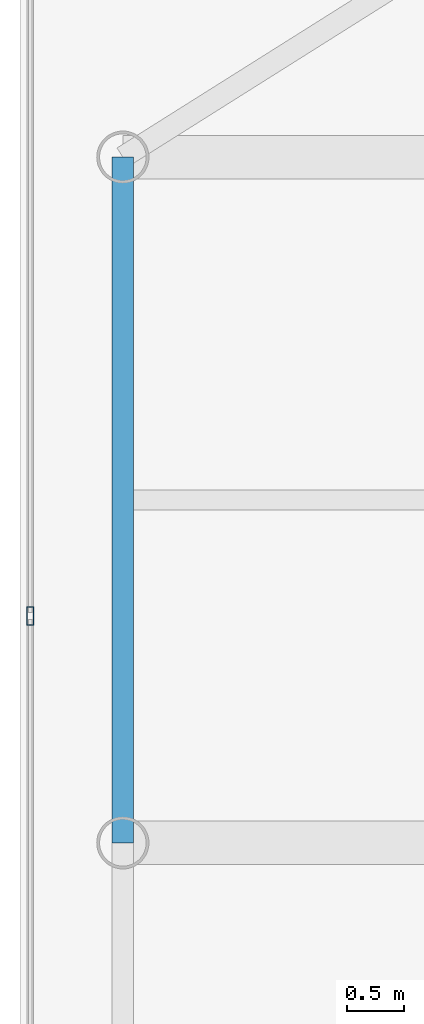
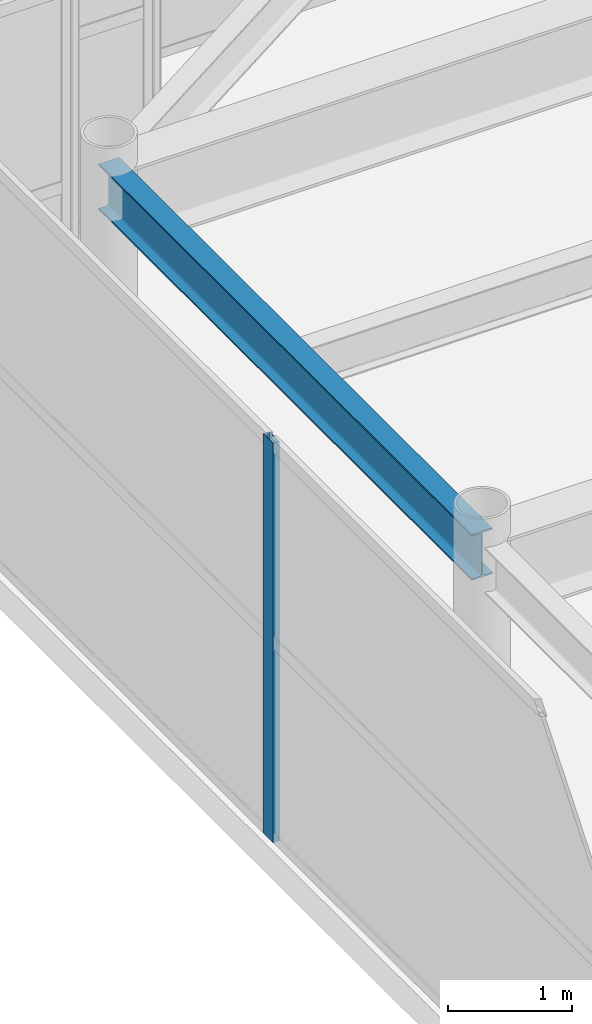
# One storey, part 13 of 33: 1 beam, 1 member, 1 element without a shape of its own.
"""IFC4 building model written with IfcOpenShell, lengths in metres."""

from ifc_helpers import new_model, si_unit, direction, frame, origin, origin_2d, place, context, subcontext, project, spatial, hollow_rectangle, i_section, extrude, source, transform, mapped, material, layer, layer_set, material_profile, profile_set, type_object, element, aggregate, save


model = new_model("IFC4")

# Units and contexts
model_context = context("Model", 3, precision=1e-05, world=origin(), true_north=direction((0.0, 1.0)))
body_context = subcontext(model_context, "Body", "Model", "MODEL_VIEW")
ifc_project = project(units=[si_unit("LENGTHUNIT", "METRE"), si_unit("AREAUNIT", "SQUARE_METRE"), si_unit("VOLUMEUNIT", "CUBIC_METRE"), si_unit("PLANEANGLEUNIT", "RADIAN"), si_unit("MASSUNIT", "GRAM", prefix="KILO")], contexts=[model_context])

# Site, building, storey
site_placement = place(None, origin())
site = spatial("IfcSite", under=ifc_project, at=site_placement, CompositionType="ELEMENT")
building_placement = place(site_placement, origin())
building = spatial("IfcBuilding", under=site, at=building_placement, Name="Khoralis Quay Care Tower", CompositionType="ELEMENT")
storey_placement = place(building_placement, frame((0.0, 0.0, 302.10009765625)))
storey = spatial("IfcBuildingStorey", under=building, at=storey_placement, Name="L79", CompositionType="ELEMENT", Elevation=302.10009765625)

# Beam
ifc_material_1 = material(Name="Steel S355", Category="steel")
ifc_material_profile_1 = material_profile(ifc_material_1, i_section(OverallWidth=0.18994140625, OverallDepth=0.449951171875, WebThickness=0.009521484375, FlangeThickness=0.0146484375, FilletRadius=0.02099609375, at=origin_2d()), Name="Steel S355")
ifc_profile_set_1 = profile_set([ifc_material_profile_1], Name="Steel S355")
beam_type = type_object("IfcBeamType", Name="BM-IPE450", PredefinedType="SPANDREL", material=ifc_profile_set_1)
shared_shape_1 = source(origin(), body_context, "Body", "SweptSolid", [
    extrude(i_section(OverallWidth=0.18994140625, OverallDepth=0.449951171875, WebThickness=0.009521484375, FlangeThickness=0.0146484375, FilletRadius=0.02099609375, at=origin_2d()), origin(), (0.0, 0.0, 1.0), 6.0),
])
beam_placement = place(storey_placement, frame((3.89990234375, 30.0, 3.69482421875), z_axis=(0.0, 1.0, 0.0), x_axis=(-1.0, 0.0, 0.0)))
element("IfcBeam", 1, at=beam_placement, inside=storey, type_object=beam_type, Name="BM-TSP-L79-12", PredefinedType="SPANDREL", context=body_context, shape_type="MappedRepresentation", body=[
    mapped(shared_shape_1, transform((0.0, 0.0, 0.0), scale=1.0)),
])

# Curtain wall, member
ifc_material_2 = material(Name="Pale anodised aluminium", Category="aluminium")
ifc_layer = layer(ifc_material_2, 0.199951171875)
ifc_layer_set = layer_set([ifc_layer], Name="Pale anodised aluminium")
curtain_wall_type = type_object("IfcCurtainWallType", Name="CW-SYS-LANTERN", PredefinedType="NOTDEFINED", material=ifc_layer_set)
curtain_wall_placement = place(storey_placement, origin())
curtain_wall = element("IfcCurtainWall", 2, at=curtain_wall_placement, inside=storey, type_object=curtain_wall_type, Name="L79 Unitised Curtain Wall CW-LN-L79-16", PredefinedType="NOTDEFINED")
ifc_material_profile_2 = material_profile(ifc_material_2, hollow_rectangle(XDim=0.06005859375, YDim=0.159912109375, WallThickness=0.00390625, at=origin_2d()), Name="Pale anodised aluminium")
ifc_profile_set_2 = profile_set([ifc_material_profile_2], Name="Pale anodised aluminium")
member_type = type_object("IfcMemberType", Name="CW-MUL-160", PredefinedType="MULLION", material=ifc_profile_set_2)
shared_shape_2 = source(origin(), body_context, "Body", "SweptSolid", [
    extrude(hollow_rectangle(XDim=0.06005859375, YDim=0.159912109375, WallThickness=0.00390625, at=origin_2d()), origin(), (0.0, 0.0, 1.0), 3.919921875),
])
member_placement = place(storey_placement, frame((3.090087890625, 31.986083984375, 0.0), z_axis=(0.0, 0.0, 1.0), x_axis=(1.0, 0.0, 0.0)))
member = element("IfcMember", 3, at=member_placement, type_object=member_type, Name="CW5 mullion 2", PredefinedType="MULLION", context=body_context, shape_type="MappedRepresentation", body=[
    mapped(shared_shape_2, transform((0.0, 0.0, 0.0), scale=1.0)),
])
aggregate(curtain_wall, [member])

save(model, "model.ifc")
